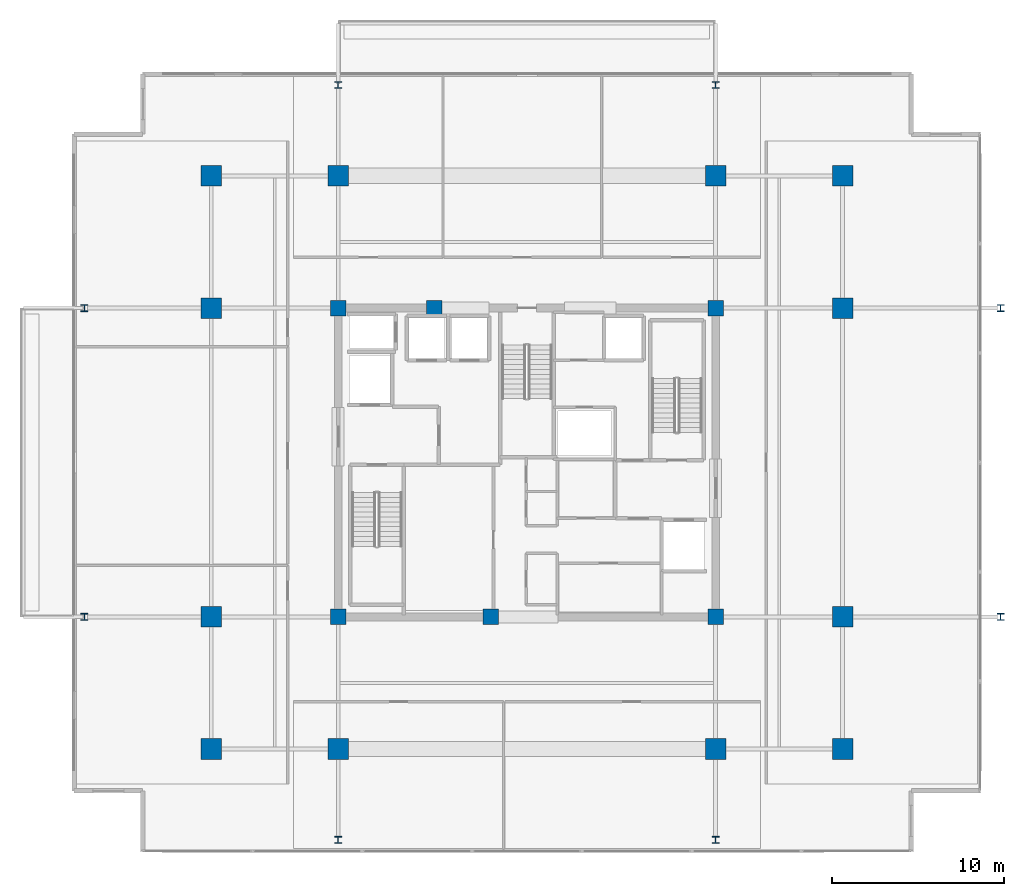
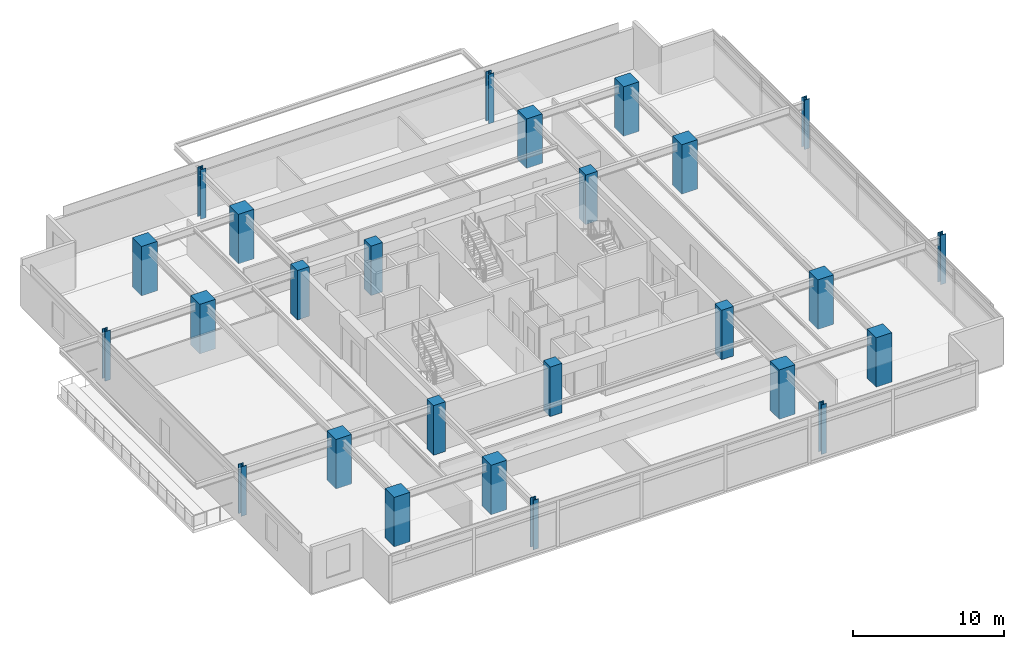
# One storey, part 1 of 18: 26 columns.
"""IFC4 building model written with IfcOpenShell, lengths in metres."""

from ifc_helpers import new_model, si_unit, direction, frame, origin, origin_2d, place, context, subcontext, project, spatial, rectangle, i_section, extrude, material, material_profile, profile_set, type_object, element, save


model = new_model("IFC4")

# Units and contexts
model_context = context("Model", 3, precision=1e-05, world=origin(), true_north=direction((0.0, 1.0)))
body_context = subcontext(model_context, "Body", "Model", "MODEL_VIEW")
ifc_project = project(units=[si_unit("LENGTHUNIT", "METRE"), si_unit("AREAUNIT", "SQUARE_METRE"), si_unit("VOLUMEUNIT", "CUBIC_METRE"), si_unit("PLANEANGLEUNIT", "RADIAN"), si_unit("MASSUNIT", "GRAM", prefix="KILO")], contexts=[model_context])

# Site, building, storey
site_placement = place(None, origin())
site = spatial("IfcSite", under=ifc_project, at=site_placement, CompositionType="ELEMENT")
building_placement = place(site_placement, origin())
building = spatial("IfcBuilding", under=site, at=building_placement, Name="Kovane Verandah Tower", CompositionType="ELEMENT")
storey_placement = place(building_placement, frame((0.0, 0.0, 251.199951171875)))
storey = spatial("IfcBuildingStorey", under=building, at=storey_placement, Name="L58", CompositionType="ELEMENT", Elevation=251.199951171875)

# Columns
ifc_material_1 = material(Name="Concrete C60/75", Category="concrete")
ifc_material_profile_1 = material_profile(ifc_material_1, rectangle(XDim=1.199951171875, YDim=1.199951171875, at=origin_2d()), Name="RC1200x1200")
ifc_profile_set_1 = profile_set([ifc_material_profile_1], Name="Concrete C60/75")
column_type_1 = type_object("IfcColumnType", Name="COL-RC1200", PredefinedType="COLUMN", material=ifc_profile_set_1)
for number, where, z_axis, x_axis, name in (
    (1, (29.0, 10.800048828125, 0.0), (0.0, 0.0, 1.0), (1.0, 0.0, 0.0), "L58 Tower Mega-Column MC-S1"),
    (2, (51.0, 10.800048828125, 0.0), (0.0, 0.0, 1.0), (1.0, 0.0, 0.0), "L58 Tower Mega-Column MC-S2"),
    (3, (29.0, 44.199951171875, 0.0), (0.0, 0.0, 1.0), (1.0, 0.0, 0.0), "L58 Tower Mega-Column MC-N1"),
    (4, (51.0, 44.199951171875, 0.0), (0.0, 0.0, 1.0), (1.0, 0.0, 0.0), "L58 Tower Mega-Column MC-N2"),
    (5, (21.60009765625, 18.5, 0.0), (0.0, 0.0, 1.0), (1.0, 0.0, 0.0), "L58 Tower Mega-Column MC-W1"),
    (6, (21.60009765625, 36.5, 0.0), (0.0, 0.0, 1.0), (1.0, 0.0, 0.0), "L58 Tower Mega-Column MC-W2"),
    (7, (58.39990234375, 18.5, 0.0), (0.0, 0.0, 1.0), (1.0, 0.0, 0.0), "L58 Tower Mega-Column MC-E1"),
    (8, (58.39990234375, 36.5, 0.0), (0.0, 0.0, 1.0), (1.0, 0.0, 0.0), "L58 Tower Mega-Column MC-E2"),
    (9, (21.60009765625, 10.800048828125, 0.0), (0.0, 0.0, 1.0), (1.0, 0.0, 0.0), "L58 Tower Mega-Column MC-SW"),
    (10, (58.39990234375, 10.800048828125, 0.0), (0.0, 0.0, 1.0), (1.0, 0.0, 0.0), "L58 Tower Mega-Column MC-SE"),
    (11, (21.60009765625, 44.199951171875, 0.0), (0.0, 0.0, 1.0), (1.0, 0.0, 0.0), "L58 Tower Mega-Column MC-NW"),
    (12, (58.39990234375, 44.199951171875, 0.0), (0.0, 0.0, 1.0), (1.0, 0.0, 0.0), "L58 Tower Mega-Column MC-NE"),
):
    element("IfcColumn", number, at=place(storey_placement, frame(where, z_axis=z_axis, x_axis=x_axis)), inside=storey, type_object=column_type_1, Name=name, PredefinedType="COLUMN", context=body_context, shape_type="SweptSolid", body=[
        extrude(rectangle(XDim=1.199951171875, YDim=1.199951171875, at=origin_2d()), origin(), (0.0, 0.0, 1.0), 4.0),
    ])
ifc_material_2 = material(Name="Steel S460", Category="steel")
ifc_material_profile_2 = material_profile(ifc_material_2, i_section(OverallWidth=0.403076171875, OverallDepth=0.406494140625, WebThickness=0.026611328125, FlangeThickness=0.04296875, FilletRadius=0.01513671875, at=origin_2d()), Name="UC356x406x340")
ifc_profile_set_2 = profile_set([ifc_material_profile_2], Name="Steel S460")
column_type_2 = type_object("IfcColumnType", Name="COL-UC340", PredefinedType="COLUMN", material=ifc_profile_set_2)
for number, where, z_axis, x_axis, name in (
    (13, (14.199951171875, 18.5, 0.0), (0.0, 0.0, 1.0), (1.0, 0.0, 0.0), "L58 Verandah Perimeter Column VC-W1"),
    (14, (14.199951171875, 36.5, 0.0), (0.0, 0.0, 1.0), (1.0, 0.0, 0.0), "L58 Verandah Perimeter Column VC-W2"),
    (15, (67.60009765625, 18.5, 0.0), (0.0, 0.0, 1.0), (1.0, 0.0, 0.0), "L58 Verandah Perimeter Column VC-E1"),
    (16, (67.60009765625, 36.5, 0.0), (0.0, 0.0, 1.0), (1.0, 0.0, 0.0), "L58 Verandah Perimeter Column VC-E2"),
    (17, (29.0, 5.5, 0.0), (0.0, 0.0, 1.0), (1.0, 0.0, 0.0), "L58 Verandah Perimeter Column VC-S1"),
    (18, (51.0, 5.5, 0.0), (0.0, 0.0, 1.0), (1.0, 0.0, 0.0), "L58 Verandah Perimeter Column VC-S2"),
    (19, (29.0, 49.5, 0.0), (0.0, 0.0, 1.0), (1.0, 0.0, 0.0), "L58 Verandah Perimeter Column VC-N1"),
    (20, (51.0, 49.5, 0.0), (0.0, 0.0, 1.0), (1.0, 0.0, 0.0), "L58 Verandah Perimeter Column VC-N2"),
):
    element("IfcColumn", number, at=place(storey_placement, frame(where, z_axis=z_axis, x_axis=x_axis)), inside=storey, type_object=column_type_2, Name=name, PredefinedType="COLUMN", context=body_context, shape_type="SweptSolid", body=[
        extrude(i_section(OverallWidth=0.403076171875, OverallDepth=0.406494140625, WebThickness=0.026611328125, FlangeThickness=0.04296875, FilletRadius=0.01513671875, at=origin_2d()), origin(), (0.0, 0.0, 1.0), 4.0),
    ])
ifc_material_profile_3 = material_profile(ifc_material_1, rectangle(XDim=0.89990234375, YDim=0.89990234375, at=origin_2d()), Name="RC900x900")
ifc_profile_set_3 = profile_set([ifc_material_profile_3], Name="Concrete C60/75")
column_type_3 = type_object("IfcColumnType", Name="PIL-RC900", PredefinedType="PILASTER", material=ifc_profile_set_3)
for number, where, z_axis, x_axis, name in (
    (21, (29.0, 18.5, 0.0), (0.0, 0.0, 1.0), (1.0, 0.0, 0.0), "L58 Core Pilaster CP-SW"),
    (22, (51.0, 18.5, 0.0), (0.0, 0.0, 1.0), (1.0, 0.0, 0.0), "L58 Core Pilaster CP-SE"),
    (23, (29.0, 36.5, 0.0), (0.0, 0.0, 1.0), (1.0, 0.0, 0.0), "L58 Core Pilaster CP-NW"),
    (24, (51.0, 36.5, 0.0), (0.0, 0.0, 1.0), (1.0, 0.0, 0.0), "L58 Core Pilaster CP-NE"),
    (25, (37.89990234375, 18.5, 0.0), (0.0, 0.0, 1.0), (1.0, 0.0, 0.0), "L58 Core Pilaster CP-S"),
    (26, (34.60009765625, 36.5, 0.0), (0.0, 0.0, 1.0), (1.0, 0.0, 0.0), "L58 Core Pilaster CP-N"),
):
    element("IfcColumn", number, at=place(storey_placement, frame(where, z_axis=z_axis, x_axis=x_axis)), inside=storey, type_object=column_type_3, Name=name, PredefinedType="PILASTER", context=body_context, shape_type="SweptSolid", body=[
        extrude(rectangle(XDim=0.89990234375, YDim=0.89990234375, at=origin_2d()), origin(), (0.0, 0.0, 1.0), 4.0),
    ])

save(model, "model.ifc")
